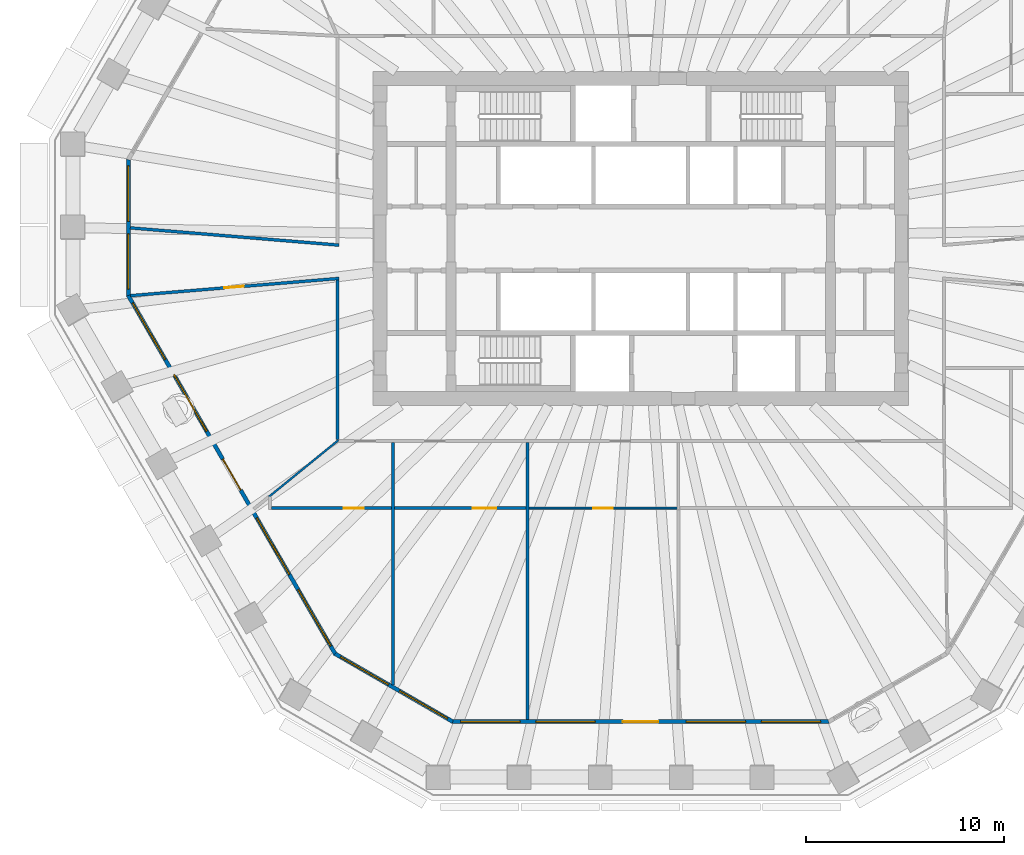
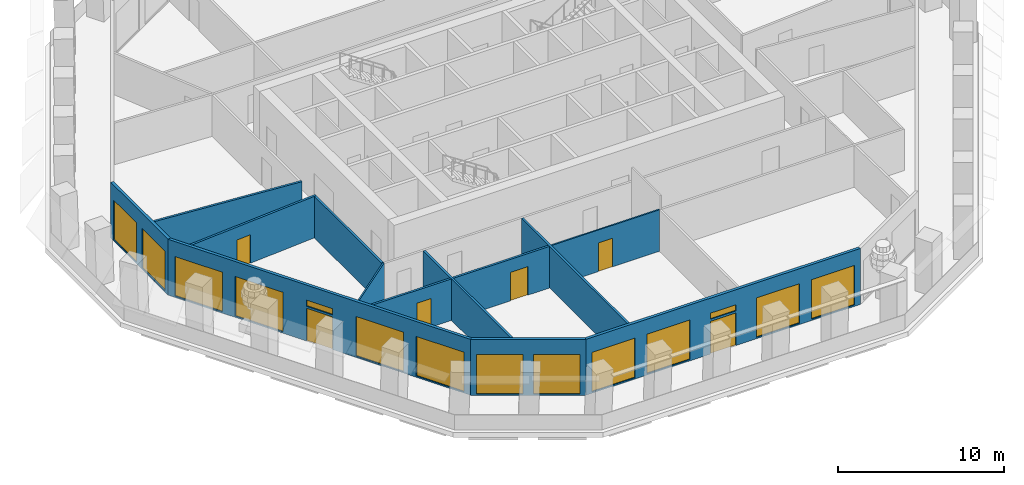
# One storey, part 3 of 12: 14 windows, 12 walls, 6 doors, 20 openings.
"""IFC4 building model written with IfcOpenShell, lengths in metres."""

from ifc_helpers import new_model, si_unit, direction, frame, frame_2d, origin, place, context, subcontext, project, spatial, polyline, rectangle, outline, extrude, material, layer, layer_set, type_object, element, fill, save


model = new_model("IFC4")

# Units and contexts
model_context = context("Model", 3, precision=1e-05, world=origin(), true_north=direction((0.0, 1.0)))
body_context = subcontext(model_context, "Body", "Model", "MODEL_VIEW")
ifc_project = project(units=[si_unit("LENGTHUNIT", "METRE"), si_unit("AREAUNIT", "SQUARE_METRE"), si_unit("VOLUMEUNIT", "CUBIC_METRE"), si_unit("PLANEANGLEUNIT", "RADIAN"), si_unit("MASSUNIT", "GRAM", prefix="KILO")], contexts=[model_context])

# Site, building, storey
site_placement = place(None, origin())
site = spatial("IfcSite", under=ifc_project, at=site_placement, CompositionType="ELEMENT")
building_placement = place(site_placement, origin())
building = spatial("IfcBuilding", under=site, at=building_placement, Name="Frailejon Research Tower", CompositionType="ELEMENT")
storey_placement = place(building_placement, frame((0.0, 0.0, 162.800048828125)))
storey = spatial("IfcBuildingStorey", under=building, at=storey_placement, Name="L35", CompositionType="ELEMENT", Elevation=162.800048828125)

# Walls
ifc_material_1 = material(Name="Gypsum board and masonry partition", Category="masonry")
ifc_layer_1 = layer(ifc_material_1, 0.14990234375)
ifc_layer_set_1 = layer_set([ifc_layer_1], Name="Corridor wall EI 60, gypsum on steel studs 150")
wall_type_1 = type_object("IfcWallType", Name="Corridor wall EI 60, gypsum on steel studs 150", PredefinedType="PARTITIONING", material=ifc_layer_set_1)
wall_1_placement = place(storey_placement, frame((-15.35009765625, -10.175048828125, 0.0), z_axis=(0.0, 0.0, 1.0), x_axis=(0.0, 1.0, 0.0)))
element("IfcWall", 1, at=wall_1_placement, inside=storey, type_object=wall_type_1, Name="T:IW:L35:004", PredefinedType="PARTITIONING", context=body_context, shape_type="SweptSolid", body=[
    extrude(rectangle(XDim=8.071044921875, YDim=0.14990234375, at=frame_2d((4.03564453125, 0.0))), origin(), (0.0, 0.0, 1.0), 3.050048828125),
])
wall_2_placement = place(storey_placement, frame((-25.83203125, 0.53662109375, 0.0), z_axis=(0.0, 0.0, 1.0), x_axis=(0.99660715742, -0.082305369083, 0.0)))
element("IfcWall", 2, at=wall_2_placement, inside=storey, type_object=wall_type_1, Name="T:IW:L35:007", PredefinedType="PARTITIONING", context=body_context, shape_type="SweptSolid", body=[
    extrude(rectangle(XDim=10.592529296875, YDim=0.14990234375, at=frame_2d((5.29638671875, 0.0))), origin(), (0.0, 0.0, 1.0), 3.050048828125),
])

# Wall, opening, door
wall_3_placement = place(storey_placement, frame((-25.811767578125, -2.892822265625, 0.0), z_axis=(0.0, 0.0, 1.0), x_axis=(0.996607432826, 0.082302034214, 0.0)))
wall_3 = element("IfcWall", 3, at=wall_3_placement, inside=storey, type_object=wall_type_1, Name="T:IW:L35:008", PredefinedType="PARTITIONING", context=body_context, shape_type="SweptSolid", body=[
    extrude(rectangle(XDim=10.572265625, YDim=0.14990234375, at=frame_2d((5.2861328125, 0.0))), origin(), (0.0, 0.0, 1.0), 3.050048828125),
])
opening_1_placement = place(wall_3_placement, frame((4.748779296875, 0.0, 0.0)))
opening_1 = element("IfcOpeningElement", 4, at=opening_1_placement, cuts=wall_3, Name="Opening D1768", PredefinedType="OPENING", context=body_context, shape_type="SweptSolid", body=[
    extrude(rectangle(XDim=1.0, YDim=2.10009765625, at=frame_2d((0.5, 1.050048828125))), frame((0.0, 0.0849609375, 0.0), z_axis=(0.0, -1.0, 0.0), x_axis=(1.0, 0.0, 0.0)), (0.0, 0.0, 1.0), 0.169921875),
])
ifc_material_2 = material(Name="Timber door leaf", Category="wood")
door_type_1 = type_object("IfcDoorType", Name="Door single leaf, timber, steel frame 1000", OperationType="NOTDEFINED", PredefinedType="DOOR", material=ifc_material_2)
door_1_placement = place(opening_1_placement, origin())
door_1 = element("IfcDoor", 5, at=door_1_placement, inside=storey, type_object=door_type_1, Name="D1768", OperationType="SINGLE_SWING_LEFT", OverallHeight=2.10009765625, OverallWidth=1.0, PredefinedType="DOOR", context=body_context, shape_type="SweptSolid", body=[
    extrude(rectangle(XDim=1.0, YDim=2.10009765625, at=frame_2d((0.5, 1.050048828125))), frame((0.0, 0.02490234375, 0.0), z_axis=(0.0, -1.0, 0.0), x_axis=(1.0, 0.0, 0.0)), (0.0, 0.0, 1.0), 0.050048828125),
])
fill(opening_1, door_1)

# Wall, openings, doors
ifc_material_3 = material(Name="Gypsum board and masonry partition", Category="masonry")
ifc_layer_2 = layer(ifc_material_3, 0.14990234375)
ifc_layer_set_2 = layer_set([ifc_layer_2], Name="Laboratory partition, blockwork 150")
wall_type_2 = type_object("IfcWallType", Name="Laboratory partition, blockwork 150", PredefinedType="PARTITIONING", material=ifc_layer_set_2)
wall_4_placement = place(storey_placement, frame((-18.675048828125, -13.64990234375, 0.0), z_axis=(0.0, 0.0, 1.0), x_axis=(1.0, 0.0, 0.0)))
wall_4 = element("IfcWall", 6, at=wall_4_placement, inside=storey, type_object=wall_type_2, Name="T:IW:L35:022", PredefinedType="PARTITIONING", context=body_context, shape_type="SweptSolid", body=[
    extrude(rectangle(XDim=12.8779296875, YDim=0.14990234375, at=frame_2d((6.43896484375, 0.0))), origin(), (0.0, 0.0, 1.0), 3.050048828125),
])
opening_2_placement = place(wall_4_placement, frame((3.65966796875, 0.0, 0.0)))
opening_2 = element("IfcOpeningElement", 7, at=opening_2_placement, cuts=wall_4, Name="Opening D1770", PredefinedType="OPENING", context=body_context, shape_type="SweptSolid", body=[
    extrude(rectangle(XDim=1.0, YDim=2.10009765625, at=frame_2d((0.5, 1.050048828125))), frame((0.0, 0.0849609375, 0.0), z_axis=(0.0, -1.0, 0.0), x_axis=(1.0, 0.0, 0.0)), (0.0, 0.0, 1.0), 0.169921875),
])
opening_3_placement = place(wall_4_placement, frame((10.174072265625, 0.0, 0.0)))
opening_3 = element("IfcOpeningElement", 8, at=opening_3_placement, cuts=wall_4, Name="Opening D1772", PredefinedType="OPENING", context=body_context, shape_type="SweptSolid", body=[
    extrude(rectangle(XDim=1.199951171875, YDim=2.10009765625, at=frame_2d((0.60009765625, 1.050048828125))), frame((0.0, 0.0849609375, 0.0), z_axis=(0.0, -1.0, 0.0), x_axis=(1.0, 0.0, 0.0)), (0.0, 0.0, 1.0), 0.169921875),
])
ifc_material_4 = material(Name="Timber door leaf", Category="wood")
door_type_2 = type_object("IfcDoorType", Name="Door laboratory, timber, vision panel 1000", OperationType="NOTDEFINED", PredefinedType="DOOR", material=ifc_material_4)
door_2_placement = place(opening_2_placement, origin())
door_2 = element("IfcDoor", 9, at=door_2_placement, inside=storey, type_object=door_type_2, Name="D1770", OperationType="SINGLE_SWING_RIGHT", OverallHeight=2.10009765625, OverallWidth=1.0, PredefinedType="DOOR", context=body_context, shape_type="SweptSolid", body=[
    extrude(rectangle(XDim=1.0, YDim=2.10009765625, at=frame_2d((0.5, 1.050048828125))), frame((0.0, 0.02490234375, 0.0), z_axis=(0.0, -1.0, 0.0), x_axis=(1.0, 0.0, 0.0)), (0.0, 0.0, 1.0), 0.050048828125),
])
fill(opening_2, door_2)
ifc_material_5 = material(Name="Timber door leaf", Category="wood")
door_type_3 = type_object("IfcDoorType", Name="Door laboratory, timber, vision panel 1200", OperationType="NOTDEFINED", PredefinedType="DOOR", material=ifc_material_5)
door_3_placement = place(opening_3_placement, origin())
door_3 = element("IfcDoor", 10, at=door_3_placement, inside=storey, type_object=door_type_3, Name="D1772", OperationType="DOUBLE_DOOR_SINGLE_SWING", OverallHeight=2.10009765625, OverallWidth=1.199951171875, PredefinedType="DOOR", context=body_context, shape_type="SweptSolid", body=[
    extrude(rectangle(XDim=1.199951171875, YDim=2.10009765625, at=frame_2d((0.60009765625, 1.050048828125))), frame((0.0, 0.02490234375, 0.0), z_axis=(0.0, -1.0, 0.0), x_axis=(1.0, 0.0, 0.0)), (0.0, 0.0, 1.0), 0.050048828125),
])
fill(opening_3, door_3)

# Walls
wall_5_placement = place(storey_placement, frame((-12.537109375, -22.590087890625, 0.0), z_axis=(0.0, 0.0, 1.0), x_axis=(0.0, 1.0, 0.0)))
element("IfcWall", 11, at=wall_5_placement, inside=storey, type_object=wall_type_2, Name="T:IW:L35:025", PredefinedType="PARTITIONING", context=body_context, shape_type="SweptSolid", body=[
    extrude(rectangle(XDim=12.26513671875, YDim=0.14990234375, at=frame_2d((6.132568359375, 0.0))), origin(), (0.0, 0.0, 1.0), 3.050048828125),
])
wall_6_placement = place(storey_placement, frame((-5.72216796875, -24.35302734375, 0.0), z_axis=(0.0, 0.0, 1.0), x_axis=(0.0, 1.0, 0.0)))
element("IfcWall", 12, at=wall_6_placement, inside=storey, type_object=wall_type_2, Name="T:IW:L35:026", PredefinedType="PARTITIONING", context=body_context, shape_type="SweptSolid", body=[
    extrude(rectangle(XDim=14.028076171875, YDim=0.14990234375, at=frame_2d((7.01416015625, 0.0))), origin(), (0.0, 0.0, 1.0), 3.050048828125),
])
ifc_material_6 = material(Name="Gypsum board and masonry partition", Category="masonry")
ifc_layer_3 = layer(ifc_material_6, 0.10009765625)
ifc_layer_set_3 = layer_set([ifc_layer_3], Name="Partition, gypsum on steel studs 100")
wall_type_3 = type_object("IfcWallType", Name="Partition, gypsum on steel studs 100", PredefinedType="PARTITIONING", material=ifc_layer_set_3)
wall_7_placement = place(storey_placement, frame((-18.80810546875, -13.063720703125, 0.0), z_axis=(0.0, 0.0, 1.0), x_axis=(0.775677269762, 0.631129759379, 0.0)))
element("IfcWall", 13, at=wall_7_placement, inside=storey, type_object=wall_type_3, Name="T:IW:L35:032", PredefinedType="PARTITIONING", context=body_context, shape_type="SweptSolid", body=[
    extrude(rectangle(XDim=4.533203125, YDim=0.10009765625, at=frame_2d((2.2666015625, 0.0))), origin(), (0.0, 0.0, 1.0), 3.050048828125),
])

# Wall, opening, door
wall_8_placement = place(storey_placement, frame((-5.647216796875, -13.64990234375, 0.0), z_axis=(0.0, 0.0, 1.0), x_axis=(1.0, 0.0, 0.0)))
wall_8 = element("IfcWall", 14, at=wall_8_placement, inside=storey, type_object=wall_type_3, Name="T:IW:L35:033", PredefinedType="PARTITIONING", context=body_context, shape_type="SweptSolid", body=[
    extrude(rectangle(XDim=7.504638671875, YDim=0.10009765625, at=frame_2d((3.75244140625, 0.0))), origin(), (0.0, 0.0, 1.0), 3.050048828125),
])
opening_4_placement = place(wall_8_placement, frame((3.23974609375, 0.0, 0.0)))
opening_4 = element("IfcOpeningElement", 15, at=opening_4_placement, cuts=wall_8, Name="Opening D1774", PredefinedType="OPENING", context=body_context, shape_type="SweptSolid", body=[
    extrude(rectangle(XDim=1.0, YDim=2.10009765625, at=frame_2d((0.5, 1.050048828125))), frame((0.0, 0.06005859375, 0.0), z_axis=(0.0, -1.0, 0.0), x_axis=(1.0, 0.0, 0.0)), (0.0, 0.0, 1.0), 0.1201171875),
])
door_4_placement = place(opening_4_placement, origin())
door_4 = element("IfcDoor", 16, at=door_4_placement, inside=storey, type_object=door_type_1, Name="D1774", OperationType="SINGLE_SWING_RIGHT", OverallHeight=2.10009765625, OverallWidth=1.0, PredefinedType="DOOR", context=body_context, shape_type="SweptSolid", body=[
    extrude(rectangle(XDim=1.0, YDim=2.10009765625, at=frame_2d((0.5, 1.050048828125))), frame((0.0, 0.02490234375, 0.0), z_axis=(0.0, -1.0, 0.0), x_axis=(1.0, 0.0, 0.0)), (0.0, 0.0, 1.0), 0.050048828125),
])
fill(opening_4, door_4)

# Wall, openings, windows
ifc_material_7 = material(Name="Concrete C40/50 precast window wall panel", Category="concrete")
ifc_layer_4 = layer(ifc_material_7, 0.199951171875)
ifc_layer_set_4 = layer_set([ifc_layer_4], Name="Window wall 200")
wall_type_4 = type_object("IfcWallType", Name="Window wall 200", PredefinedType="SOLIDWALL", material=ifc_layer_set_4)
wall_9_placement = place(storey_placement, frame((-25.93212890625, 3.990478515625, 0.0), z_axis=(0.0, 0.0, 1.0), x_axis=(0.0, -1.0, 0.0)))
wall_9 = element("IfcWall", 17, at=wall_9_placement, inside=storey, type_object=wall_type_4, Name="Exterior wall L35", PredefinedType="SOLIDWALL", context=body_context, shape_type="SweptSolid", body=[
    extrude(outline(polyline([(-0.02685546875, -0.10009765625), (1.1279296875, -0.10009765625), (2.28271484375, -0.10009765625), (3.4375, -0.10009765625), (4.592041015625, -0.10009765625), (5.746826171875, -0.10009765625), (6.901611328125, -0.10009765625), (6.847900390625, 0.10009765625), (5.7109375, 0.10009765625), (4.57421875, 0.10009765625), (3.4375, 0.10009765625), (2.300537109375, 0.10009765625), (1.16357421875, 0.10009765625), (0.02685546875, 0.10009765625), (-0.02685546875, -0.10009765625)])), origin(), (0.0, 0.0, 1.0), 4.099853515625),
])
opening_5_placement = place(wall_9_placement, frame((0.318603515625, 0.0, 0.10009765625)))
opening_5 = element("IfcOpeningElement", 18, at=opening_5_placement, cuts=wall_9, Name="Opening W3", PredefinedType="OPENING", context=body_context, shape_type="SweptSolid", body=[
    extrude(rectangle(XDim=2.800048828125, YDim=2.89990234375, at=frame_2d((1.39990234375, 1.449951171875))), frame((0.0, 0.10986328125, 0.0), z_axis=(0.0, -1.0, 0.0), x_axis=(1.0, 0.0, 0.0)), (0.0, 0.0, 1.0), 0.219970703125),
])
opening_6_placement = place(wall_9_placement, frame((3.756103515625, 0.0, 0.10009765625)))
opening_6 = element("IfcOpeningElement", 19, at=opening_6_placement, cuts=wall_9, Name="Opening W3", PredefinedType="OPENING", context=body_context, shape_type="SweptSolid", body=[
    extrude(rectangle(XDim=2.800048828125, YDim=2.89990234375, at=frame_2d((1.39990234375, 1.449951171875))), frame((0.0, 0.10986328125, 0.0), z_axis=(0.0, -1.0, 0.0), x_axis=(1.0, 0.0, 0.0)), (0.0, 0.0, 1.0), 0.219970703125),
])
ifc_material_8 = material(Name="Aluminium framed double glazing", Category="aluminium")
window_type_1 = type_object("IfcWindowType", Name="Window 2800x2900", PartitioningType="SINGLE_PANEL", PredefinedType="WINDOW", material=ifc_material_8)
window_1_placement = place(opening_5_placement, origin())
window_1 = element("IfcWindow", 20, at=window_1_placement, inside=storey, type_object=window_type_1, Name="Window L35", OverallHeight=2.89990234375, OverallWidth=2.800048828125, PartitioningType="SINGLE_PANEL", PredefinedType="WINDOW", context=body_context, shape_type="SweptSolid", body=[
    extrude(rectangle(XDim=2.800048828125, YDim=2.89990234375, at=frame_2d((1.39990234375, 1.449951171875))), frame((0.0, 0.030029296875, 0.0), z_axis=(0.0, -1.0, 0.0), x_axis=(1.0, 0.0, 0.0)), (0.0, 0.0, 1.0), 0.06005859375),
])
fill(opening_5, window_1)
window_2_placement = place(opening_6_placement, origin())
window_2 = element("IfcWindow", 21, at=window_2_placement, inside=storey, type_object=window_type_1, Name="Window L35", OverallHeight=2.89990234375, OverallWidth=2.800048828125, PartitioningType="SINGLE_PANEL", PredefinedType="WINDOW", context=body_context, shape_type="SweptSolid", body=[
    extrude(rectangle(XDim=2.800048828125, YDim=2.89990234375, at=frame_2d((1.39990234375, 1.449951171875))), frame((0.0, 0.030029296875, 0.0), z_axis=(0.0, -1.0, 0.0), x_axis=(1.0, 0.0, 0.0)), (0.0, 0.0, 1.0), 0.06005859375),
])
fill(opening_6, window_2)

# Wall, openings, door, windows
wall_10_placement = place(storey_placement, frame((-25.93212890625, -2.88427734375, 0.0), z_axis=(0.0, 0.0, 1.0), x_axis=(0.499999366442, -0.866025769569, 0.0)))
wall_10 = element("IfcWall", 22, at=wall_10_placement, inside=storey, type_object=wall_type_4, Name="Exterior wall L35", PredefinedType="SOLIDWALL", context=body_context, shape_type="SweptSolid", body=[
    extrude(outline(polyline([(-0.02685546875, -0.10009765625), (1.022705078125, -0.10009765625), (2.072265625, -0.10009765625), (3.12158203125, -0.10009765625), (4.171142578125, -0.10009765625), (5.220703125, -0.10009765625), (6.270263671875, -0.10009765625), (7.31982421875, -0.10009765625), (8.369140625, -0.10009765625), (9.418701171875, -0.10009765625), (10.46826171875, -0.10009765625), (11.517822265625, -0.10009765625), (12.5673828125, -0.10009765625), (13.61669921875, -0.10009765625), (14.666259765625, -0.10009765625), (15.7158203125, -0.10009765625), (16.765380859375, -0.10009765625), (17.81494140625, -0.10009765625), (18.8642578125, -0.10009765625), (19.913818359375, -0.10009765625), (20.96337890625, -0.10009765625), (20.90966796875, 0.10009765625), (19.865478515625, 0.10009765625), (18.8212890625, 0.10009765625), (17.77734375, 0.10009765625), (16.733154296875, 0.10009765625), (15.68896484375, 0.10009765625), (14.644775390625, 0.10009765625), (13.6005859375, 0.10009765625), (12.556640625, 0.10009765625), (11.512451171875, 0.10009765625), (10.46826171875, 0.10009765625), (9.424072265625, 0.10009765625), (8.3798828125, 0.10009765625), (7.3359375, 0.10009765625), (6.291748046875, 0.10009765625), (5.24755859375, 0.10009765625), (4.203369140625, 0.10009765625), (3.1591796875, 0.10009765625), (2.115234375, 0.10009765625), (1.071044921875, 0.10009765625), (0.02685546875, 0.10009765625), (-0.02685546875, -0.10009765625)])), origin(), (0.0, 0.0, 1.0), 4.099853515625),
])
opening_7_placement = place(wall_10_placement, frame((0.443603515625, 0.0, 0.10009765625)))
opening_7 = element("IfcOpeningElement", 23, at=opening_7_placement, cuts=wall_10, Name="Opening W5", PredefinedType="OPENING", context=body_context, shape_type="SweptSolid", body=[
    extrude(rectangle(XDim=3.300048828125, YDim=2.89990234375, at=frame_2d((1.64990234375, 1.449951171875))), frame((0.0, 0.10986328125, 0.0), z_axis=(0.0, -1.0, 0.0), x_axis=(1.0, 0.0, 0.0)), (0.0, 0.0, 1.0), 0.219970703125),
])
opening_8_placement = place(wall_10_placement, frame((4.631103515625, 0.0, 0.10009765625)))
opening_8 = element("IfcOpeningElement", 24, at=opening_8_placement, cuts=wall_10, Name="Opening W5", PredefinedType="OPENING", context=body_context, shape_type="SweptSolid", body=[
    extrude(rectangle(XDim=3.300048828125, YDim=2.89990234375, at=frame_2d((1.64990234375, 1.449951171875))), frame((0.0, 0.10986328125, 0.0), z_axis=(0.0, -1.0, 0.0), x_axis=(1.0, 0.0, 0.0)), (0.0, 0.0, 1.0), 0.219970703125),
])
opening_9_placement = place(wall_10_placement, frame((9.568359375, 0.0, 0.0)))
opening_9 = element("IfcOpeningElement", 25, at=opening_9_placement, cuts=wall_10, Name="Opening LG35-4", PredefinedType="OPENING", context=body_context, shape_type="SweptSolid", body=[
    extrude(rectangle(XDim=1.800048828125, YDim=2.39990234375, at=frame_2d((0.89990234375, 1.199951171875))), frame((0.0, 0.10986328125, 0.0), z_axis=(0.0, -1.0, 0.0), x_axis=(1.0, 0.0, 0.0)), (0.0, 0.0, 1.0), 0.219970703125),
])
opening_10_placement = place(wall_10_placement, frame((9.568359375, 0.0, 2.550048828125)))
opening_10 = element("IfcOpeningElement", 26, at=opening_10_placement, cuts=wall_10, Name="Opening W1", PredefinedType="OPENING", context=body_context, shape_type="SweptSolid", body=[
    extrude(rectangle(XDim=1.800048828125, YDim=0.449951171875, at=frame_2d((0.89990234375, 0.22509765625))), frame((0.0, 0.10986328125, 0.0), z_axis=(0.0, -1.0, 0.0), x_axis=(1.0, 0.0, 0.0)), (0.0, 0.0, 1.0), 0.219970703125),
])
opening_11_placement = place(wall_10_placement, frame((13.005615234375, 0.0, 0.10009765625)))
opening_11 = element("IfcOpeningElement", 27, at=opening_11_placement, cuts=wall_10, Name="Opening W5", PredefinedType="OPENING", context=body_context, shape_type="SweptSolid", body=[
    extrude(rectangle(XDim=3.300048828125, YDim=2.89990234375, at=frame_2d((1.64990234375, 1.449951171875))), frame((0.0, 0.10986328125, 0.0), z_axis=(0.0, -1.0, 0.0), x_axis=(1.0, 0.0, 0.0)), (0.0, 0.0, 1.0), 0.219970703125),
])
opening_12_placement = place(wall_10_placement, frame((17.19287109375, 0.0, 0.10009765625)))
opening_12 = element("IfcOpeningElement", 28, at=opening_12_placement, cuts=wall_10, Name="Opening W5", PredefinedType="OPENING", context=body_context, shape_type="SweptSolid", body=[
    extrude(rectangle(XDim=3.300048828125, YDim=2.89990234375, at=frame_2d((1.64990234375, 1.449951171875))), frame((0.0, 0.10986328125, 0.0), z_axis=(0.0, -1.0, 0.0), x_axis=(1.0, 0.0, 0.0)), (0.0, 0.0, 1.0), 0.219970703125),
])
ifc_material_9 = material(Name="Aluminium framed glazed door leaf", Category="aluminium")
door_type_4 = type_object("IfcDoorType", Name="Loggia door 1800x2400", OperationType="DOUBLE_DOOR_SINGLE_SWING", PredefinedType="DOOR", material=ifc_material_9)
door_5_placement = place(opening_9_placement, origin())
door_5 = element("IfcDoor", 29, at=door_5_placement, inside=storey, type_object=door_type_4, Name="Door LG35-4", OperationType="DOUBLE_DOOR_SINGLE_SWING", OverallHeight=2.39990234375, OverallWidth=1.800048828125, PredefinedType="DOOR", context=body_context, shape_type="SweptSolid", body=[
    extrude(rectangle(XDim=1.800048828125, YDim=2.39990234375, at=frame_2d((0.89990234375, 1.199951171875))), frame((0.0, 0.02490234375, 0.0), z_axis=(0.0, -1.0, 0.0), x_axis=(1.0, 0.0, 0.0)), (0.0, 0.0, 1.0), 0.050048828125),
])
fill(opening_9, door_5)
ifc_material_10 = material(Name="Aluminium framed double glazing", Category="aluminium")
window_type_2 = type_object("IfcWindowType", Name="Window 1800x450", PartitioningType="SINGLE_PANEL", PredefinedType="WINDOW", material=ifc_material_10)
window_3_placement = place(opening_10_placement, origin())
window_3 = element("IfcWindow", 30, at=window_3_placement, inside=storey, type_object=window_type_2, Name="Window L35", OverallHeight=0.449951171875, OverallWidth=1.800048828125, PartitioningType="SINGLE_PANEL", PredefinedType="WINDOW", context=body_context, shape_type="SweptSolid", body=[
    extrude(rectangle(XDim=1.800048828125, YDim=0.449951171875, at=frame_2d((0.89990234375, 0.22509765625))), frame((0.0, 0.030029296875, 0.0), z_axis=(0.0, -1.0, 0.0), x_axis=(1.0, 0.0, 0.0)), (0.0, 0.0, 1.0), 0.06005859375),
])
fill(opening_10, window_3)
ifc_material_11 = material(Name="Aluminium framed double glazing", Category="aluminium")
window_type_3 = type_object("IfcWindowType", Name="Window 3300x2900", PartitioningType="SINGLE_PANEL", PredefinedType="WINDOW", material=ifc_material_11)
window_4_placement = place(opening_7_placement, origin())
window_4 = element("IfcWindow", 31, at=window_4_placement, inside=storey, type_object=window_type_3, Name="Window L35", OverallHeight=2.89990234375, OverallWidth=3.300048828125, PartitioningType="SINGLE_PANEL", PredefinedType="WINDOW", context=body_context, shape_type="SweptSolid", body=[
    extrude(rectangle(XDim=3.300048828125, YDim=2.89990234375, at=frame_2d((1.64990234375, 1.449951171875))), frame((0.0, 0.030029296875, 0.0), z_axis=(0.0, -1.0, 0.0), x_axis=(1.0, 0.0, 0.0)), (0.0, 0.0, 1.0), 0.06005859375),
])
fill(opening_7, window_4)
window_5_placement = place(opening_8_placement, origin())
window_5 = element("IfcWindow", 32, at=window_5_placement, inside=storey, type_object=window_type_3, Name="Window L35", OverallHeight=2.89990234375, OverallWidth=3.300048828125, PartitioningType="SINGLE_PANEL", PredefinedType="WINDOW", context=body_context, shape_type="SweptSolid", body=[
    extrude(rectangle(XDim=3.300048828125, YDim=2.89990234375, at=frame_2d((1.64990234375, 1.449951171875))), frame((0.0, 0.030029296875, 0.0), z_axis=(0.0, -1.0, 0.0), x_axis=(1.0, 0.0, 0.0)), (0.0, 0.0, 1.0), 0.06005859375),
])
fill(opening_8, window_5)
window_6_placement = place(opening_11_placement, origin())
window_6 = element("IfcWindow", 33, at=window_6_placement, inside=storey, type_object=window_type_3, Name="Window L35", OverallHeight=2.89990234375, OverallWidth=3.300048828125, PartitioningType="SINGLE_PANEL", PredefinedType="WINDOW", context=body_context, shape_type="SweptSolid", body=[
    extrude(rectangle(XDim=3.300048828125, YDim=2.89990234375, at=frame_2d((1.64990234375, 1.449951171875))), frame((0.0, 0.030029296875, 0.0), z_axis=(0.0, -1.0, 0.0), x_axis=(1.0, 0.0, 0.0)), (0.0, 0.0, 1.0), 0.06005859375),
])
fill(opening_11, window_6)
window_7_placement = place(opening_12_placement, origin())
window_7 = element("IfcWindow", 34, at=window_7_placement, inside=storey, type_object=window_type_3, Name="Window L35", OverallHeight=2.89990234375, OverallWidth=3.300048828125, PartitioningType="SINGLE_PANEL", PredefinedType="WINDOW", context=body_context, shape_type="SweptSolid", body=[
    extrude(rectangle(XDim=3.300048828125, YDim=2.89990234375, at=frame_2d((1.64990234375, 1.449951171875))), frame((0.0, 0.030029296875, 0.0), z_axis=(0.0, -1.0, 0.0), x_axis=(1.0, 0.0, 0.0)), (0.0, 0.0, 1.0), 0.06005859375),
])
fill(opening_12, window_7)

# Wall, openings, windows
wall_11_placement = place(storey_placement, frame((-15.4638671875, -21.015869140625, 0.0), z_axis=(0.0, 0.0, 1.0), x_axis=(0.866029458321, -0.49999297727, 0.0)))
wall_11 = element("IfcWall", 35, at=wall_11_placement, inside=storey, type_object=wall_type_4, Name="Exterior wall L35", PredefinedType="SOLIDWALL", context=body_context, shape_type="SweptSolid", body=[
    extrude(outline(polyline([(-0.02685546875, -0.10009765625), (1.1279296875, -0.10009765625), (2.282470703125, -0.10009765625), (3.437255859375, -0.10009765625), (4.592041015625, -0.10009765625), (5.74658203125, -0.10009765625), (6.9013671875, -0.10009765625), (6.84765625, 0.10009765625), (5.7109375, 0.10009765625), (4.573974609375, 0.10009765625), (3.437255859375, 0.10009765625), (2.300537109375, 0.10009765625), (1.16357421875, 0.10009765625), (0.02685546875, 0.10009765625), (-0.02685546875, -0.10009765625)])), origin(), (0.0, 0.0, 1.0), 4.099853515625),
])
opening_13_placement = place(wall_11_placement, frame((0.318603515625, 0.0, 0.10009765625)))
opening_13 = element("IfcOpeningElement", 36, at=opening_13_placement, cuts=wall_11, Name="Opening W3", PredefinedType="OPENING", context=body_context, shape_type="SweptSolid", body=[
    extrude(rectangle(XDim=2.800048828125, YDim=2.89990234375, at=frame_2d((1.39990234375, 1.449951171875))), frame((0.0, 0.10986328125, 0.0), z_axis=(0.0, -1.0, 0.0), x_axis=(1.0, 0.0, 0.0)), (0.0, 0.0, 1.0), 0.219970703125),
])
opening_14_placement = place(wall_11_placement, frame((3.756103515625, 0.0, 0.10009765625)))
opening_14 = element("IfcOpeningElement", 37, at=opening_14_placement, cuts=wall_11, Name="Opening W3", PredefinedType="OPENING", context=body_context, shape_type="SweptSolid", body=[
    extrude(rectangle(XDim=2.800048828125, YDim=2.89990234375, at=frame_2d((1.39990234375, 1.449951171875))), frame((0.0, 0.10986328125, 0.0), z_axis=(0.0, -1.0, 0.0), x_axis=(1.0, 0.0, 0.0)), (0.0, 0.0, 1.0), 0.219970703125),
])
window_8_placement = place(opening_13_placement, origin())
window_8 = element("IfcWindow", 38, at=window_8_placement, inside=storey, type_object=window_type_1, Name="Window L35", OverallHeight=2.89990234375, OverallWidth=2.800048828125, PartitioningType="SINGLE_PANEL", PredefinedType="WINDOW", context=body_context, shape_type="SweptSolid", body=[
    extrude(rectangle(XDim=2.800048828125, YDim=2.89990234375, at=frame_2d((1.39990234375, 1.449951171875))), frame((0.0, 0.030029296875, 0.0), z_axis=(0.0, -1.0, 0.0), x_axis=(1.0, 0.0, 0.0)), (0.0, 0.0, 1.0), 0.06005859375),
])
fill(opening_13, window_8)
window_9_placement = place(opening_14_placement, origin())
window_9 = element("IfcWindow", 39, at=window_9_placement, inside=storey, type_object=window_type_1, Name="Window L35", OverallHeight=2.89990234375, OverallWidth=2.800048828125, PartitioningType="SINGLE_PANEL", PredefinedType="WINDOW", context=body_context, shape_type="SweptSolid", body=[
    extrude(rectangle(XDim=2.800048828125, YDim=2.89990234375, at=frame_2d((1.39990234375, 1.449951171875))), frame((0.0, 0.030029296875, 0.0), z_axis=(0.0, -1.0, 0.0), x_axis=(1.0, 0.0, 0.0)), (0.0, 0.0, 1.0), 0.06005859375),
])
fill(opening_14, window_9)

# Wall, openings, door, windows
wall_12_placement = place(storey_placement, frame((-9.51025390625, -24.453125, 0.0), z_axis=(0.0, 0.0, 1.0), x_axis=(1.0, 0.0, 0.0)))
wall_12 = element("IfcWall", 40, at=wall_12_placement, inside=storey, type_object=wall_type_4, Name="Exterior wall L35", PredefinedType="SOLIDWALL", context=body_context, shape_type="SweptSolid", body=[
    extrude(outline(polyline([(-0.02685546875, -0.10009765625), (0.97705078125, -0.10009765625), (1.98095703125, -0.10009765625), (2.98486328125, -0.10009765625), (3.98876953125, -0.10009765625), (4.99267578125, -0.10009765625), (5.99658203125, -0.10009765625), (7.00048828125, -0.10009765625), (8.00439453125, -0.10009765625), (9.00830078125, -0.10009765625), (10.01220703125, -0.10009765625), (11.01611328125, -0.10009765625), (12.02001953125, -0.10009765625), (13.02392578125, -0.10009765625), (14.02783203125, -0.10009765625), (15.03173828125, -0.10009765625), (16.03564453125, -0.10009765625), (17.03955078125, -0.10009765625), (18.04345703125, -0.10009765625), (19.04736328125, -0.10009765625), (18.99365234375, 0.10009765625), (17.995361328125, 0.10009765625), (16.9970703125, 0.10009765625), (15.998779296875, 0.10009765625), (15.000732421875, 0.10009765625), (14.00244140625, 0.10009765625), (13.004150390625, 0.10009765625), (12.005859375, 0.10009765625), (11.007568359375, 0.10009765625), (10.00927734375, 0.10009765625), (9.01123046875, 0.10009765625), (8.012939453125, 0.10009765625), (7.0146484375, 0.10009765625), (6.016357421875, 0.10009765625), (5.01806640625, 0.10009765625), (4.019775390625, 0.10009765625), (3.021728515625, 0.10009765625), (2.0234375, 0.10009765625), (1.025146484375, 0.10009765625), (0.02685546875, 0.10009765625), (-0.02685546875, -0.10009765625)])), origin(), (0.0, 0.0, 1.0), 4.099853515625),
])
opening_15_placement = place(wall_12_placement, frame((0.402099609375, 0.0, 0.10009765625)))
opening_15 = element("IfcOpeningElement", 41, at=opening_15_placement, cuts=wall_12, Name="Opening W4", PredefinedType="OPENING", context=body_context, shape_type="SweptSolid", body=[
    extrude(rectangle(XDim=3.0, YDim=2.89990234375, at=frame_2d((1.5, 1.449951171875))), frame((0.0, 0.10986328125, 0.0), z_axis=(0.0, -1.0, 0.0), x_axis=(1.0, 0.0, 0.0)), (0.0, 0.0, 1.0), 0.219970703125),
])
opening_16_placement = place(wall_12_placement, frame((4.206298828125, 0.0, 0.10009765625)))
opening_16 = element("IfcOpeningElement", 42, at=opening_16_placement, cuts=wall_12, Name="Opening W4", PredefinedType="OPENING", context=body_context, shape_type="SweptSolid", body=[
    extrude(rectangle(XDim=3.0, YDim=2.89990234375, at=frame_2d((1.5, 1.449951171875))), frame((0.0, 0.10986328125, 0.0), z_axis=(0.0, -1.0, 0.0), x_axis=(1.0, 0.0, 0.0)), (0.0, 0.0, 1.0), 0.219970703125),
])
opening_17_placement = place(wall_12_placement, frame((8.6103515625, 0.0, 0.0)))
opening_17 = element("IfcOpeningElement", 43, at=opening_17_placement, cuts=wall_12, Name="Opening LG35-5", PredefinedType="OPENING", context=body_context, shape_type="SweptSolid", body=[
    extrude(rectangle(XDim=1.800048828125, YDim=2.39990234375, at=frame_2d((0.89990234375, 1.199951171875))), frame((0.0, 0.10986328125, 0.0), z_axis=(0.0, -1.0, 0.0), x_axis=(1.0, 0.0, 0.0)), (0.0, 0.0, 1.0), 0.219970703125),
])
opening_18_placement = place(wall_12_placement, frame((8.6103515625, 0.0, 2.550048828125)))
opening_18 = element("IfcOpeningElement", 44, at=opening_18_placement, cuts=wall_12, Name="Opening W1", PredefinedType="OPENING", context=body_context, shape_type="SweptSolid", body=[
    extrude(rectangle(XDim=1.800048828125, YDim=0.449951171875, at=frame_2d((0.89990234375, 0.22509765625))), frame((0.0, 0.10986328125, 0.0), z_axis=(0.0, -1.0, 0.0), x_axis=(1.0, 0.0, 0.0)), (0.0, 0.0, 1.0), 0.219970703125),
])
opening_19_placement = place(wall_12_placement, frame((11.814453125, 0.0, 0.10009765625)))
opening_19 = element("IfcOpeningElement", 45, at=opening_19_placement, cuts=wall_12, Name="Opening W4", PredefinedType="OPENING", context=body_context, shape_type="SweptSolid", body=[
    extrude(rectangle(XDim=3.0, YDim=2.89990234375, at=frame_2d((1.5, 1.449951171875))), frame((0.0, 0.10986328125, 0.0), z_axis=(0.0, -1.0, 0.0), x_axis=(1.0, 0.0, 0.0)), (0.0, 0.0, 1.0), 0.219970703125),
])
opening_20_placement = place(wall_12_placement, frame((15.618408203125, 0.0, 0.10009765625)))
opening_20 = element("IfcOpeningElement", 46, at=opening_20_placement, cuts=wall_12, Name="Opening W4", PredefinedType="OPENING", context=body_context, shape_type="SweptSolid", body=[
    extrude(rectangle(XDim=3.0, YDim=2.89990234375, at=frame_2d((1.5, 1.449951171875))), frame((0.0, 0.10986328125, 0.0), z_axis=(0.0, -1.0, 0.0), x_axis=(1.0, 0.0, 0.0)), (0.0, 0.0, 1.0), 0.219970703125),
])
door_6_placement = place(opening_17_placement, origin())
door_6 = element("IfcDoor", 47, at=door_6_placement, inside=storey, type_object=door_type_4, Name="Door LG35-5", OperationType="DOUBLE_DOOR_SINGLE_SWING", OverallHeight=2.39990234375, OverallWidth=1.800048828125, PredefinedType="DOOR", context=body_context, shape_type="SweptSolid", body=[
    extrude(rectangle(XDim=1.800048828125, YDim=2.39990234375, at=frame_2d((0.89990234375, 1.199951171875))), frame((0.0, 0.02490234375, 0.0), z_axis=(0.0, -1.0, 0.0), x_axis=(1.0, 0.0, 0.0)), (0.0, 0.0, 1.0), 0.050048828125),
])
fill(opening_17, door_6)
window_10_placement = place(opening_18_placement, origin())
window_10 = element("IfcWindow", 48, at=window_10_placement, inside=storey, type_object=window_type_2, Name="Window L35", OverallHeight=0.449951171875, OverallWidth=1.800048828125, PartitioningType="SINGLE_PANEL", PredefinedType="WINDOW", context=body_context, shape_type="SweptSolid", body=[
    extrude(rectangle(XDim=1.800048828125, YDim=0.449951171875, at=frame_2d((0.89990234375, 0.22509765625))), frame((0.0, 0.030029296875, 0.0), z_axis=(0.0, -1.0, 0.0), x_axis=(1.0, 0.0, 0.0)), (0.0, 0.0, 1.0), 0.06005859375),
])
fill(opening_18, window_10)
ifc_material_12 = material(Name="Aluminium framed double glazing", Category="aluminium")
window_type_4 = type_object("IfcWindowType", Name="Window 3000x2900", PartitioningType="SINGLE_PANEL", PredefinedType="WINDOW", material=ifc_material_12)
window_11_placement = place(opening_15_placement, origin())
window_11 = element("IfcWindow", 49, at=window_11_placement, inside=storey, type_object=window_type_4, Name="Window L35", OverallHeight=2.89990234375, OverallWidth=3.0, PartitioningType="SINGLE_PANEL", PredefinedType="WINDOW", context=body_context, shape_type="SweptSolid", body=[
    extrude(rectangle(XDim=3.0, YDim=2.89990234375, at=frame_2d((1.5, 1.449951171875))), frame((0.0, 0.030029296875, 0.0), z_axis=(0.0, -1.0, 0.0), x_axis=(1.0, 0.0, 0.0)), (0.0, 0.0, 1.0), 0.06005859375),
])
fill(opening_15, window_11)
window_12_placement = place(opening_16_placement, origin())
window_12 = element("IfcWindow", 50, at=window_12_placement, inside=storey, type_object=window_type_4, Name="Window L35", OverallHeight=2.89990234375, OverallWidth=3.0, PartitioningType="SINGLE_PANEL", PredefinedType="WINDOW", context=body_context, shape_type="SweptSolid", body=[
    extrude(rectangle(XDim=3.0, YDim=2.89990234375, at=frame_2d((1.5, 1.449951171875))), frame((0.0, 0.030029296875, 0.0), z_axis=(0.0, -1.0, 0.0), x_axis=(1.0, 0.0, 0.0)), (0.0, 0.0, 1.0), 0.06005859375),
])
fill(opening_16, window_12)
window_13_placement = place(opening_19_placement, origin())
window_13 = element("IfcWindow", 51, at=window_13_placement, inside=storey, type_object=window_type_4, Name="Window L35", OverallHeight=2.89990234375, OverallWidth=3.0, PartitioningType="SINGLE_PANEL", PredefinedType="WINDOW", context=body_context, shape_type="SweptSolid", body=[
    extrude(rectangle(XDim=3.0, YDim=2.89990234375, at=frame_2d((1.5, 1.449951171875))), frame((0.0, 0.030029296875, 0.0), z_axis=(0.0, -1.0, 0.0), x_axis=(1.0, 0.0, 0.0)), (0.0, 0.0, 1.0), 0.06005859375),
])
fill(opening_19, window_13)
window_14_placement = place(opening_20_placement, origin())
window_14 = element("IfcWindow", 52, at=window_14_placement, inside=storey, type_object=window_type_4, Name="Window L35", OverallHeight=2.89990234375, OverallWidth=3.0, PartitioningType="SINGLE_PANEL", PredefinedType="WINDOW", context=body_context, shape_type="SweptSolid", body=[
    extrude(rectangle(XDim=3.0, YDim=2.89990234375, at=frame_2d((1.5, 1.449951171875))), frame((0.0, 0.030029296875, 0.0), z_axis=(0.0, -1.0, 0.0), x_axis=(1.0, 0.0, 0.0)), (0.0, 0.0, 1.0), 0.06005859375),
])
fill(opening_20, window_14)

save(model, "model.ifc")
